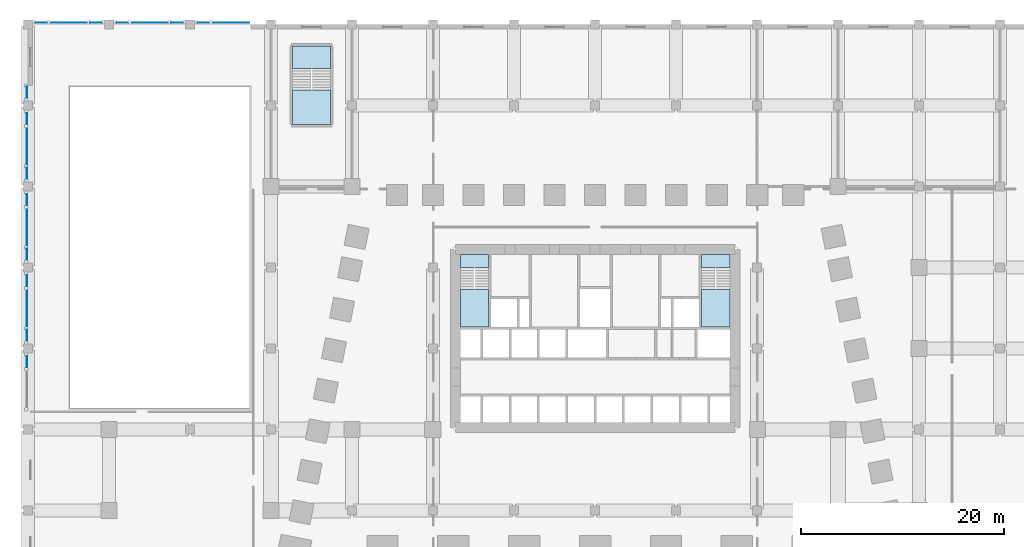
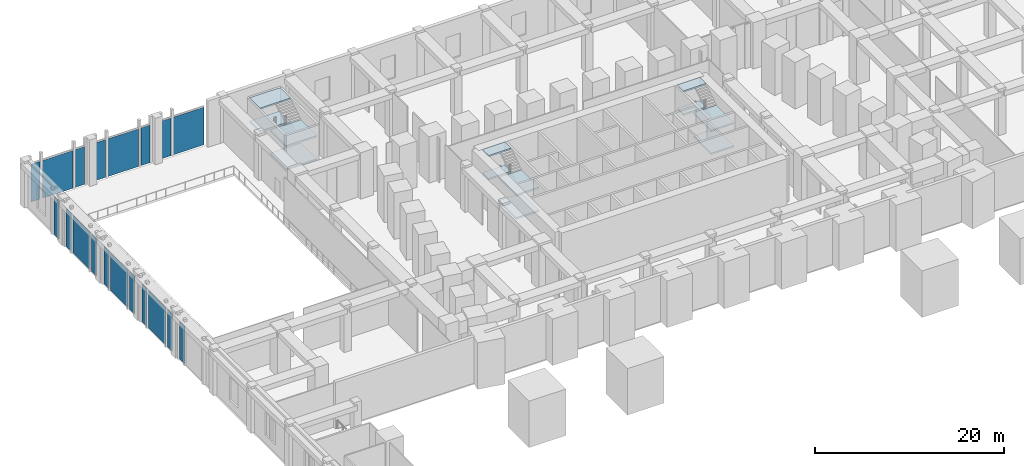
# One storey, part 4 of 25: 19 plates, 12 slabs, 11 elements without a shape of their own.
"""IFC4 building model written with IfcOpenShell, lengths in metres."""

import ifcopenshell
import ifcopenshell.guid

model = None  # the IFC model being written
_history = None  # IfcOwnerHistory: only IFC2X3 demands one
_inside = {}  # id of a spatial element -> (the spatial element, [elements in it])
_under = {}  # id of a project, library or spatial element -> (it, [spatial elements below it])
_declared = {}  # id of a project -> (the project, [libraries it declares])
_typed = {}  # id of a type object -> (the type object, [elements of that type])
_made_of = {}  # id of a material, layer set ... -> (it, [elements and type objects made of it])


def new_model(schema):
    """Start an empty IFC model of exactly this schema.

    Asked for "IFC4X3", IfcOpenShell would pick the latest addendum, in which some entities
    have other attributes; the version numbers below select the first issue.
    IFC2X3 requires an IfcOwnerHistory on every rooted entity: one is made here for all.
    """
    global model, _history
    if schema == "IFC4X3":
        model = ifcopenshell.file(schema_version=(4, 3, 0, 0))
    else:
        model = ifcopenshell.file(schema=schema)
    _inside.clear()
    _under.clear()
    _declared.clear()
    _typed.clear()
    _made_of.clear()
    _history = None
    if model.schema == "IFC2X3":
        org = make("IfcOrganization", Name="unknown")
        user = make(
            "IfcPersonAndOrganization",
            ThePerson=make("IfcPerson", FamilyName="unknown"),
            TheOrganization=org,
        )
        app = make(
            "IfcApplication",
            ApplicationDeveloper=org,
            Version="unknown",
            ApplicationFullName="unknown",
            ApplicationIdentifier="unknown",
        )
        _history = make(
            "IfcOwnerHistory",
            OwningUser=user,
            OwningApplication=app,
            ChangeAction="ADDED",
            CreationDate=0,
        )
    return model


def make(cls, **values):
    """One entity of the class cls with the attributes given. An attribute that is None is left unset."""
    return model.create_entity(
        cls, **{name: value for name, value in values.items() if value is not None}
    )


def rooted(cls, **values):
    """An entity with a GlobalId (a new one), such as an element, a storey or a relation."""
    return make(cls, GlobalId=ifcopenshell.guid.new(), OwnerHistory=_history, **values)


def si_unit(unit_type, name, prefix=None):
    """IfcSIUnit, for example si_unit("LENGTHUNIT", "METRE", prefix="MILLI")."""
    return make("IfcSIUnit", UnitType=unit_type, Prefix=prefix, Name=name)


def assignment(units):
    """IfcUnitAssignment: the units of a project."""
    return None if units is None else make("IfcUnitAssignment", Units=units)


def point(xyz):
    """IfcCartesianPoint."""
    return None if xyz is None else make("IfcCartesianPoint", Coordinates=xyz)


def direction(xyz):
    """IfcDirection."""
    return None if xyz is None else make("IfcDirection", DirectionRatios=xyz)


def frame(location, z_axis=None, x_axis=None):
    """IfcAxis2Placement3D, a coordinate frame: its origin and axes. An axis left out is left unset."""
    return make(
        "IfcAxis2Placement3D",
        Location=point(location),
        Axis=direction(z_axis),
        RefDirection=direction(x_axis),
    )


def frame_2d(location, x_axis=None):
    """IfcAxis2Placement2D, a coordinate frame in the plane: its origin and x axis."""
    return make(
        "IfcAxis2Placement2D", Location=point(location), RefDirection=direction(x_axis)
    )


def origin():
    """The frame at (0, 0, 0) with its axes left unset."""
    return frame((0.0, 0.0, 0.0))


def origin_2d():
    """The frame at (0, 0) in the plane with its x axis left unset."""
    return frame_2d((0.0, 0.0))


def place(relative_to, where):
    """IfcLocalPlacement: puts the frame where relative to a parent placement (None: the world)."""
    return make(
        "IfcLocalPlacement", PlacementRelTo=relative_to, RelativePlacement=where
    )


def context(
    kind, dimensions, precision=None, world=None, true_north=None, identifier=None
):
    """IfcGeometricRepresentationContext, for example the 3D "Model" context."""
    return make(
        "IfcGeometricRepresentationContext",
        ContextIdentifier=identifier,
        ContextType=kind,
        CoordinateSpaceDimension=dimensions,
        Precision=precision,
        WorldCoordinateSystem=world,
        TrueNorth=true_north,
    )


def subcontext(parent, identifier, kind, view, scale=None):
    """IfcGeometricRepresentationSubContext, for example "Body" below "Model"."""
    return make(
        "IfcGeometricRepresentationSubContext",
        ContextIdentifier=identifier,
        ContextType=kind,
        ParentContext=parent,
        TargetScale=scale,
        TargetView=view,
    )


def project(units=None, contexts=None):
    """IfcProject with its units and contexts."""
    return rooted(
        "IfcProject",
        Name="project",
        RepresentationContexts=contexts,
        UnitsInContext=assignment(units),
    )


def spatial(cls, under=None, at=None, **own):
    """A site, building, storey or space (cls), placed at a placement, below another one or the project."""
    s = rooted(cls, ObjectPlacement=at, **own)
    if under is not None:
        _under.setdefault(under.id(), (under, []))[1].append(s)
    return s


def polyline(points):
    """IfcPolyline through the points."""
    return make("IfcPolyline", Points=[point(p) for p in points])


def profile(cls, at=None, kind="AREA", **sizes):
    """A parametric profile (cls). Its sizes go by their IFC names, for example OverallWidth=200.0."""
    return make(cls, ProfileType=kind, Position=at, **sizes)


def rectangle(**sizes):
    """IfcRectangleProfileDef."""
    return profile("IfcRectangleProfileDef", **sizes)


def outline(outer, holes=None, kind="AREA"):
    """IfcArbitraryClosedProfileDef: a profile drawn as a closed curve; with holes, ...WithVoids."""
    if holes is None:
        return make("IfcArbitraryClosedProfileDef", ProfileType=kind, OuterCurve=outer)
    return make(
        "IfcArbitraryProfileDefWithVoids",
        ProfileType=kind,
        OuterCurve=outer,
        InnerCurves=holes,
    )


def extrude(swept, where, along, depth):
    """IfcExtrudedAreaSolid: the profile swept, set in the frame where, extruded along a direction by depth."""
    return make(
        "IfcExtrudedAreaSolid",
        SweptArea=swept,
        Position=where,
        ExtrudedDirection=direction(along),
        Depth=depth,
    )


def shape(context_of_items, identifier, shape_type, items):
    """IfcShapeRepresentation: the items that make up one representation, for example the "Body"."""
    return make(
        "IfcShapeRepresentation",
        ContextOfItems=context_of_items,
        RepresentationIdentifier=identifier,
        RepresentationType=shape_type,
        Items=items,
    )


def material(Name=None, Category=None):
    """IfcMaterial."""
    return make("IfcMaterial", Name=Name, Category=Category)


def layer(
    of_material, thickness, ventilated=None, Name=None, Category=None, Priority=None
):
    """IfcMaterialLayer: one layer of a wall or slab, of a material (None: an air gap)."""
    return make(
        "IfcMaterialLayer",
        Material=of_material,
        LayerThickness=thickness,
        IsVentilated=ventilated,
        Name=Name,
        Category=Category,
        Priority=Priority,
    )


def layer_set(layers, Name=None):
    """IfcMaterialLayerSet."""
    return make("IfcMaterialLayerSet", MaterialLayers=layers, LayerSetName=Name)


def made_of(thing, what):
    """Note that an element or type object is made of a material, layer set ...; save() writes the relation."""
    if what is not None:
        _made_of.setdefault(what.id(), (what, []))[1].append(thing)
    return thing


def type_object(cls, material=None, **own):
    """A type object (cls), such as IfcWallType, which elements share."""
    return made_of(rooted(cls, **own), material)


def element(
    cls,
    number,
    at=None,
    inside=None,
    cuts=None,
    type_object=None,
    material=None,
    context=None,
    identifier="Body",
    shape_type=None,
    held_by="IfcProductDefinitionShape",
    body=None,
    shapes=None,
    **own,
):
    """One element of the class cls, such as IfcWall. Its Tag is "e" and its number.

    at: its placement. inside: the storey or other place that contains it. cuts: it is an
    opening in that element (IfcRelVoidsElement). A single representation is given by context,
    identifier, shape_type and body (its items); several are given by shapes. held_by: the class
    of the entity that holds the representations. save() writes the other relations.
    """
    e = rooted(cls, Tag="e%d" % number, ObjectPlacement=at, **own)
    if body is not None:
        shapes = [shape(context, identifier, shape_type, body)]
    if shapes is not None:
        e.Representation = make(held_by, Representations=shapes)
    if inside is not None:
        _inside.setdefault(inside.id(), (inside, []))[1].append(e)
    if cuts is not None:
        rooted(
            "IfcRelVoidsElement", RelatingBuildingElement=cuts, RelatedOpeningElement=e
        )
    if type_object is not None:
        _typed.setdefault(type_object.id(), (type_object, []))[1].append(e)
    return made_of(e, material)


def aggregate(whole, parts):
    """IfcRelAggregates: a whole, such as a stair, and the parts it consists of."""
    return rooted("IfcRelAggregates", RelatingObject=whole, RelatedObjects=parts)


def save(model, path):
    """Write the relations noted so far, then the file.

    IfcRelAggregates (storeys below a building ...), IfcRelContainedInSpatialStructure (elements
    in a storey), IfcRelDefinesByType, IfcRelAssociatesMaterial and IfcRelDeclares: one each for
    every whole, place, type object, material and project.
    """
    for whole, parts in _under.values():
        aggregate(whole, parts)
    for where, things in _inside.values():
        rooted(
            "IfcRelContainedInSpatialStructure",
            RelatedElements=things,
            RelatingStructure=where,
        )
    for kind, things in _typed.values():
        rooted("IfcRelDefinesByType", RelatedObjects=things, RelatingType=kind)
    for what, things in _made_of.values():
        rooted("IfcRelAssociatesMaterial", RelatedObjects=things, RelatingMaterial=what)
    for by, libraries in _declared.values():
        rooted("IfcRelDeclares", RelatingContext=by, RelatedDefinitions=libraries)
    model.write(path)


model = new_model("IFC4")

# Units and contexts
model_context = context("Model", 3, precision=1e-05, world=origin(), true_north=direction((0.0, 1.0)))
body_context = subcontext(model_context, "Body", "Model", "MODEL_VIEW")
ifc_project = project(units=[si_unit("LENGTHUNIT", "METRE"), si_unit("AREAUNIT", "SQUARE_METRE"), si_unit("VOLUMEUNIT", "CUBIC_METRE"), si_unit("PLANEANGLEUNIT", "RADIAN"), si_unit("MASSUNIT", "GRAM", prefix="KILO")], contexts=[model_context])

# Site, building, storey
site_placement = place(None, origin())
site = spatial("IfcSite", under=ifc_project, at=site_placement, CompositionType="ELEMENT")
building_placement = place(site_placement, origin())
building = spatial("IfcBuilding", under=site, at=building_placement, Name="Isbrekke Arena Tower", CompositionType="ELEMENT")
storey_placement = place(building_placement, frame((0.0, 0.0, 6.0)))
storey = spatial("IfcBuildingStorey", under=building, at=storey_placement, Name="L01", CompositionType="ELEMENT", Elevation=6.0)

# Curtain wall, plate
ifc_material_1 = material(Name="Glazed aluminium curtain wall", Category="aluminium")
curtain_wall_type = type_object("IfcCurtainWallType", Name="CWP ATRIUM CURTAIN WALL", PredefinedType="USERDEFINED", material=ifc_material_1)
curtain_wall_1_placement = place(storey_placement, origin())
curtain_wall_1 = element("IfcCurtainWall", 1, at=curtain_wall_1_placement, inside=storey, type_object=curtain_wall_type, Name="CWP curtain wall L01-PW", ObjectType="ATRIUM CURTAIN WALL", PredefinedType="USERDEFINED")
ifc_material_2 = material(Name="Triple-glazed clear glass unit", Category="glass")
ifc_layer_1 = layer(ifc_material_2, 0.031982421875)
ifc_layer_set_1 = layer_set([ifc_layer_1], Name="CWP-P VISION PANEL")
plate_type = type_object("IfcPlateType", Name="CWP-P VISION PANEL", PredefinedType="CURTAIN_PANEL", material=ifc_layer_set_1)
plate_1_placement = place(storey_placement, frame((-56.10009765625, 39.300048828125, 0.02001953125), z_axis=(0.0, 0.0, 1.0), x_axis=(0.0, -1.0, 0.0)))
plate_1 = element("IfcPlate", 2, at=plate_1_placement, type_object=plate_type, Name="CWP-P panel 1", PredefinedType="CURTAIN_PANEL", context=body_context, shape_type="SweptSolid", body=[
    extrude(rectangle(XDim=1.10009765625, YDim=0.031982421875, at=origin_2d()), origin(), (0.0, 0.0, 1.0), 4.8798828125),
])
aggregate(curtain_wall_1, [plate_1])

# Curtain wall, plates
curtain_wall_2_placement = place(storey_placement, origin())
curtain_wall_2 = element("IfcCurtainWall", 3, at=curtain_wall_2_placement, inside=storey, type_object=curtain_wall_type, Name="CWP curtain wall L01-PW2", ObjectType="ATRIUM CURTAIN WALL", PredefinedType="USERDEFINED")
plate_2_placement = place(storey_placement, frame((-56.10009765625, 36.699951171875, 0.02001953125), z_axis=(0.0, 0.0, 1.0), x_axis=(0.0, -1.0, 0.0)))
plate_2 = element("IfcPlate", 4, at=plate_2_placement, type_object=plate_type, Name="CWP-P panel 1", PredefinedType="CURTAIN_PANEL", context=body_context, shape_type="SweptSolid", body=[
    extrude(rectangle(XDim=1.10009765625, YDim=0.031982421875, at=origin_2d()), origin(), (0.0, 0.0, 1.0), 4.8798828125),
])
plate_3_placement = place(storey_placement, frame((-56.10009765625, 34.0, 0.02001953125), z_axis=(0.0, 0.0, 1.0), x_axis=(0.0, -1.0, 0.0)))
plate_3 = element("IfcPlate", 5, at=plate_3_placement, type_object=plate_type, Name="CWP-P panel 2", PredefinedType="CURTAIN_PANEL", context=body_context, shape_type="SweptSolid", body=[
    extrude(rectangle(XDim=3.699951171875, YDim=0.031982421875, at=origin_2d()), origin(), (0.0, 0.0, 1.0), 4.8798828125),
])
plate_4_placement = place(storey_placement, frame((-56.10009765625, 31.300048828125, 0.02001953125), z_axis=(0.0, 0.0, 1.0), x_axis=(0.0, -1.0, 0.0)))
plate_4 = element("IfcPlate", 6, at=plate_4_placement, type_object=plate_type, Name="CWP-P panel 3", PredefinedType="CURTAIN_PANEL", context=body_context, shape_type="SweptSolid", body=[
    extrude(rectangle(XDim=1.10009765625, YDim=0.031982421875, at=origin_2d()), origin(), (0.0, 0.0, 1.0), 4.8798828125),
])
aggregate(curtain_wall_2, [plate_2, plate_3, plate_4])

curtain_wall_3_placement = place(storey_placement, origin())
curtain_wall_3 = element("IfcCurtainWall", 7, at=curtain_wall_3_placement, inside=storey, type_object=curtain_wall_type, Name="CWP curtain wall L01-PW3", ObjectType="ATRIUM CURTAIN WALL", PredefinedType="USERDEFINED")
plate_5_placement = place(storey_placement, frame((-56.10009765625, 28.699951171875, 0.02001953125), z_axis=(0.0, 0.0, 1.0), x_axis=(0.0, -1.0, 0.0)))
plate_5 = element("IfcPlate", 8, at=plate_5_placement, type_object=plate_type, Name="CWP-P panel 1", PredefinedType="CURTAIN_PANEL", context=body_context, shape_type="SweptSolid", body=[
    extrude(rectangle(XDim=1.10009765625, YDim=0.031982421875, at=origin_2d()), origin(), (0.0, 0.0, 1.0), 4.8798828125),
])
plate_6_placement = place(storey_placement, frame((-56.10009765625, 26.0, 0.02001953125), z_axis=(0.0, 0.0, 1.0), x_axis=(0.0, -1.0, 0.0)))
plate_6 = element("IfcPlate", 9, at=plate_6_placement, type_object=plate_type, Name="CWP-P panel 2", PredefinedType="CURTAIN_PANEL", context=body_context, shape_type="SweptSolid", body=[
    extrude(rectangle(XDim=3.699951171875, YDim=0.031982421875, at=origin_2d()), origin(), (0.0, 0.0, 1.0), 4.8798828125),
])
plate_7_placement = place(storey_placement, frame((-56.10009765625, 23.300048828125, 0.02001953125), z_axis=(0.0, 0.0, 1.0), x_axis=(0.0, -1.0, 0.0)))
plate_7 = element("IfcPlate", 10, at=plate_7_placement, type_object=plate_type, Name="CWP-P panel 3", PredefinedType="CURTAIN_PANEL", context=body_context, shape_type="SweptSolid", body=[
    extrude(rectangle(XDim=1.10009765625, YDim=0.031982421875, at=origin_2d()), origin(), (0.0, 0.0, 1.0), 4.8798828125),
])
aggregate(curtain_wall_3, [plate_5, plate_6, plate_7])

curtain_wall_4_placement = place(storey_placement, origin())
curtain_wall_4 = element("IfcCurtainWall", 11, at=curtain_wall_4_placement, inside=storey, type_object=curtain_wall_type, Name="CWP curtain wall L01-PW4", ObjectType="ATRIUM CURTAIN WALL", PredefinedType="USERDEFINED")
plate_8_placement = place(storey_placement, frame((-56.10009765625, 20.699951171875, 0.02001953125), z_axis=(0.0, 0.0, 1.0), x_axis=(0.0, -1.0, 0.0)))
plate_8 = element("IfcPlate", 12, at=plate_8_placement, type_object=plate_type, Name="CWP-P panel 1", PredefinedType="CURTAIN_PANEL", context=body_context, shape_type="SweptSolid", body=[
    extrude(rectangle(XDim=1.10009765625, YDim=0.031982421875, at=origin_2d()), origin(), (0.0, 0.0, 1.0), 4.8798828125),
])
plate_9_placement = place(storey_placement, frame((-56.10009765625, 18.0, 0.02001953125), z_axis=(0.0, 0.0, 1.0), x_axis=(0.0, -1.0, 0.0)))
plate_9 = element("IfcPlate", 13, at=plate_9_placement, type_object=plate_type, Name="CWP-P panel 2", PredefinedType="CURTAIN_PANEL", context=body_context, shape_type="SweptSolid", body=[
    extrude(rectangle(XDim=3.699951171875, YDim=0.031982421875, at=origin_2d()), origin(), (0.0, 0.0, 1.0), 4.8798828125),
])
plate_10_placement = place(storey_placement, frame((-56.10009765625, 15.300048828125, 0.02001953125), z_axis=(0.0, 0.0, 1.0), x_axis=(0.0, -1.0, 0.0)))
plate_10 = element("IfcPlate", 14, at=plate_10_placement, type_object=plate_type, Name="CWP-P panel 3", PredefinedType="CURTAIN_PANEL", context=body_context, shape_type="SweptSolid", body=[
    extrude(rectangle(XDim=1.10009765625, YDim=0.031982421875, at=origin_2d()), origin(), (0.0, 0.0, 1.0), 4.8798828125),
])
aggregate(curtain_wall_4, [plate_8, plate_9, plate_10])

# Curtain wall, plate
curtain_wall_5_placement = place(storey_placement, origin())
curtain_wall_5 = element("IfcCurtainWall", 15, at=curtain_wall_5_placement, inside=storey, type_object=curtain_wall_type, Name="CWP curtain wall L01-PW5", ObjectType="ATRIUM CURTAIN WALL", PredefinedType="USERDEFINED")
plate_11_placement = place(storey_placement, frame((-56.10009765625, 12.699951171875, 0.02001953125), z_axis=(0.0, 0.0, 1.0), x_axis=(0.0, -1.0, 0.0)))
plate_11 = element("IfcPlate", 16, at=plate_11_placement, type_object=plate_type, Name="CWP-P panel 1", PredefinedType="CURTAIN_PANEL", context=body_context, shape_type="SweptSolid", body=[
    extrude(rectangle(XDim=1.10009765625, YDim=0.031982421875, at=origin_2d()), origin(), (0.0, 0.0, 1.0), 4.8798828125),
])
aggregate(curtain_wall_5, [plate_11])

# Curtain wall, plates
curtain_wall_6_placement = place(storey_placement, origin())
curtain_wall_6 = element("IfcCurtainWall", 17, at=curtain_wall_6_placement, inside=storey, type_object=curtain_wall_type, Name="CWP curtain wall L01-PN", ObjectType="ATRIUM CURTAIN WALL", PredefinedType="USERDEFINED")
plate_12_placement = place(storey_placement, frame((-36.0, 46.175048828125, 0.02001953125), z_axis=(0.0, 0.0, 1.0), x_axis=(-1.0, 0.0, 0.0)))
plate_12 = element("IfcPlate", 18, at=plate_12_placement, type_object=plate_type, Name="CWP-P panel 1", PredefinedType="CURTAIN_PANEL", context=body_context, shape_type="SweptSolid", body=[
    extrude(rectangle(XDim=3.699951171875, YDim=0.031982421875, at=origin_2d()), origin(), (0.0, 0.0, 1.0), 4.8798828125),
])
plate_13_placement = place(storey_placement, frame((-38.699951171875, 46.175048828125, 0.02001953125), z_axis=(0.0, 0.0, 1.0), x_axis=(-1.0, 0.0, 0.0)))
plate_13 = element("IfcPlate", 19, at=plate_13_placement, type_object=plate_type, Name="CWP-P panel 2", PredefinedType="CURTAIN_PANEL", context=body_context, shape_type="SweptSolid", body=[
    extrude(rectangle(XDim=1.10009765625, YDim=0.031982421875, at=origin_2d()), origin(), (0.0, 0.0, 1.0), 4.8798828125),
])
aggregate(curtain_wall_6, [plate_12, plate_13])

curtain_wall_7_placement = place(storey_placement, origin())
curtain_wall_7 = element("IfcCurtainWall", 20, at=curtain_wall_7_placement, inside=storey, type_object=curtain_wall_type, Name="CWP curtain wall L01-PN2", ObjectType="ATRIUM CURTAIN WALL", PredefinedType="USERDEFINED")
plate_14_placement = place(storey_placement, frame((-41.300048828125, 46.175048828125, 0.02001953125), z_axis=(0.0, 0.0, 1.0), x_axis=(-1.0, 0.0, 0.0)))
plate_14 = element("IfcPlate", 21, at=plate_14_placement, type_object=plate_type, Name="CWP-P panel 1", PredefinedType="CURTAIN_PANEL", context=body_context, shape_type="SweptSolid", body=[
    extrude(rectangle(XDim=1.10009765625, YDim=0.031982421875, at=origin_2d()), origin(), (0.0, 0.0, 1.0), 4.8798828125),
])
plate_15_placement = place(storey_placement, frame((-44.0, 46.175048828125, 0.02001953125), z_axis=(0.0, 0.0, 1.0), x_axis=(-1.0, 0.0, 0.0)))
plate_15 = element("IfcPlate", 22, at=plate_15_placement, type_object=plate_type, Name="CWP-P panel 2", PredefinedType="CURTAIN_PANEL", context=body_context, shape_type="SweptSolid", body=[
    extrude(rectangle(XDim=3.699951171875, YDim=0.031982421875, at=origin_2d()), origin(), (0.0, 0.0, 1.0), 4.8798828125),
])
plate_16_placement = place(storey_placement, frame((-46.699951171875, 46.175048828125, 0.02001953125), z_axis=(0.0, 0.0, 1.0), x_axis=(-1.0, 0.0, 0.0)))
plate_16 = element("IfcPlate", 23, at=plate_16_placement, type_object=plate_type, Name="CWP-P panel 3", PredefinedType="CURTAIN_PANEL", context=body_context, shape_type="SweptSolid", body=[
    extrude(rectangle(XDim=1.10009765625, YDim=0.031982421875, at=origin_2d()), origin(), (0.0, 0.0, 1.0), 4.8798828125),
])
aggregate(curtain_wall_7, [plate_14, plate_15, plate_16])

curtain_wall_8_placement = place(storey_placement, origin())
curtain_wall_8 = element("IfcCurtainWall", 24, at=curtain_wall_8_placement, inside=storey, type_object=curtain_wall_type, Name="CWP curtain wall L01-PN3", ObjectType="ATRIUM CURTAIN WALL", PredefinedType="USERDEFINED")
plate_17_placement = place(storey_placement, frame((-49.300048828125, 46.175048828125, 0.02001953125), z_axis=(0.0, 0.0, 1.0), x_axis=(-1.0, 0.0, 0.0)))
plate_17 = element("IfcPlate", 25, at=plate_17_placement, type_object=plate_type, Name="CWP-P panel 1", PredefinedType="CURTAIN_PANEL", context=body_context, shape_type="SweptSolid", body=[
    extrude(rectangle(XDim=1.10009765625, YDim=0.031982421875, at=origin_2d()), origin(), (0.0, 0.0, 1.0), 4.8798828125),
])
plate_18_placement = place(storey_placement, frame((-52.0, 46.175048828125, 0.02001953125), z_axis=(0.0, 0.0, 1.0), x_axis=(-1.0, 0.0, 0.0)))
plate_18 = element("IfcPlate", 26, at=plate_18_placement, type_object=plate_type, Name="CWP-P panel 2", PredefinedType="CURTAIN_PANEL", context=body_context, shape_type="SweptSolid", body=[
    extrude(rectangle(XDim=3.699951171875, YDim=0.031982421875, at=origin_2d()), origin(), (0.0, 0.0, 1.0), 4.8798828125),
])
plate_19_placement = place(storey_placement, frame((-54.700927734375, 46.175048828125, 0.02001953125), z_axis=(0.0, 0.0, 1.0), x_axis=(-1.0, 0.0, 0.0)))
plate_19 = element("IfcPlate", 27, at=plate_19_placement, type_object=plate_type, Name="CWP-P panel 3", PredefinedType="CURTAIN_PANEL", context=body_context, shape_type="SweptSolid", body=[
    extrude(rectangle(XDim=1.10205078125, YDim=0.031982421875, at=origin_2d()), origin(), (0.0, 0.0, 1.0), 4.8798828125),
])
aggregate(curtain_wall_8, [plate_17, plate_18, plate_19])

# Stair, slabs
ifc_material_3 = material(Name="Concrete B45 (C45/55) precast", Category="concrete")
stair_type_1 = type_object("IfcStairType", Name="ST60 STAIR 1300 WIDE, 36 RISERS 167", PredefinedType="HALF_TURN_STAIR", material=ifc_material_3)
stair_1_placement = place(storey_placement, origin())
stair_1 = element("IfcStair", 28, at=stair_1_placement, inside=storey, type_object=stair_type_1, Name="ST1 stair L01", PredefinedType="HALF_TURN_STAIR")
ifc_material_4 = material(Name="Concrete B35 (C35/45)", Category="concrete")
ifc_layer_2 = layer(ifc_material_4, 0.199951171875)
ifc_layer_set_2 = layer_set([ifc_layer_2], Name="SL1 STAIR LANDING 200")
slab_type = type_object("IfcSlabType", Name="SL1 STAIR LANDING 200", PredefinedType="LANDING", material=ifc_layer_set_2)
slab_1_placement = place(storey_placement, frame((0.0, 0.0, 1.300048828125)))
slab_1 = element("IfcSlab", 29, at=slab_1_placement, type_object=slab_type, Name="ST1 landing 1", PredefinedType="LANDING", context=body_context, shape_type="SweptSolid", body=[
    extrude(outline(polyline([(-13.300048828125, 16.125), (-10.52490234375, 16.125), (-10.52490234375, 19.840087890625), (-13.300048828125, 19.840087890625), (-13.300048828125, 16.125)])), origin(), (0.0, 0.0, 1.0), 0.199951171875),
])
slab_2_placement = place(storey_placement, frame((0.0, 0.0, 2.800048828125)))
slab_2 = element("IfcSlab", 30, at=slab_2_placement, type_object=slab_type, Name="ST1 landing 2", PredefinedType="LANDING", context=body_context, shape_type="SweptSolid", body=[
    extrude(outline(polyline([(-13.300048828125, 22.0), (-10.52490234375, 22.0), (-10.52490234375, 23.300048828125), (-13.300048828125, 23.300048828125), (-13.300048828125, 22.0)])), origin(), (0.0, 0.0, 1.0), 0.199951171875),
])
slab_3_placement = place(storey_placement, frame((0.0, 0.0, 4.300048828125)))
slab_3 = element("IfcSlab", 31, at=slab_3_placement, type_object=slab_type, Name="ST1 landing 3", PredefinedType="LANDING", context=body_context, shape_type="SweptSolid", body=[
    extrude(outline(polyline([(-13.300048828125, 16.125), (-10.52490234375, 16.125), (-10.52490234375, 19.840087890625), (-13.300048828125, 19.840087890625), (-13.300048828125, 16.125)])), origin(), (0.0, 0.0, 1.0), 0.199951171875),
])
slab_4_placement = place(storey_placement, frame((0.0, 0.0, 5.800048828125)))
slab_4 = element("IfcSlab", 32, at=slab_4_placement, type_object=slab_type, Name="ST1 landing 4", PredefinedType="LANDING", context=body_context, shape_type="SweptSolid", body=[
    extrude(outline(polyline([(-13.300048828125, 22.0), (-10.52490234375, 22.0), (-10.52490234375, 23.300048828125), (-13.300048828125, 23.300048828125), (-13.300048828125, 22.0)])), origin(), (0.0, 0.0, 1.0), 0.199951171875),
])
aggregate(stair_1, [slab_1, slab_2, slab_3, slab_4])

stair_2_placement = place(storey_placement, origin())
stair_2 = element("IfcStair", 33, at=stair_2_placement, inside=storey, type_object=stair_type_1, Name="ST2 stair L01", PredefinedType="HALF_TURN_STAIR")
slab_5_placement = place(storey_placement, frame((0.0, 0.0, 1.300048828125)))
slab_5 = element("IfcSlab", 34, at=slab_5_placement, type_object=slab_type, Name="ST2 landing 1", PredefinedType="LANDING", context=body_context, shape_type="SweptSolid", body=[
    extrude(outline(polyline([(10.52490234375, 16.125), (13.300048828125, 16.125), (13.300048828125, 19.840087890625), (10.52490234375, 19.840087890625), (10.52490234375, 16.125)])), origin(), (0.0, 0.0, 1.0), 0.199951171875),
])
slab_6_placement = place(storey_placement, frame((0.0, 0.0, 2.800048828125)))
slab_6 = element("IfcSlab", 35, at=slab_6_placement, type_object=slab_type, Name="ST2 landing 2", PredefinedType="LANDING", context=body_context, shape_type="SweptSolid", body=[
    extrude(outline(polyline([(10.52490234375, 22.0), (13.300048828125, 22.0), (13.300048828125, 23.300048828125), (10.52490234375, 23.300048828125), (10.52490234375, 22.0)])), origin(), (0.0, 0.0, 1.0), 0.199951171875),
])
slab_7_placement = place(storey_placement, frame((0.0, 0.0, 4.300048828125)))
slab_7 = element("IfcSlab", 36, at=slab_7_placement, type_object=slab_type, Name="ST2 landing 3", PredefinedType="LANDING", context=body_context, shape_type="SweptSolid", body=[
    extrude(outline(polyline([(10.52490234375, 16.125), (13.300048828125, 16.125), (13.300048828125, 19.840087890625), (10.52490234375, 19.840087890625), (10.52490234375, 16.125)])), origin(), (0.0, 0.0, 1.0), 0.199951171875),
])
slab_8_placement = place(storey_placement, frame((0.0, 0.0, 5.800048828125)))
slab_8 = element("IfcSlab", 37, at=slab_8_placement, type_object=slab_type, Name="ST2 landing 4", PredefinedType="LANDING", context=body_context, shape_type="SweptSolid", body=[
    extrude(outline(polyline([(10.52490234375, 22.0), (13.300048828125, 22.0), (13.300048828125, 23.300048828125), (10.52490234375, 23.300048828125), (10.52490234375, 22.0)])), origin(), (0.0, 0.0, 1.0), 0.199951171875),
])
aggregate(stair_2, [slab_5, slab_6, slab_7, slab_8])

ifc_material_5 = material(Name="Concrete B45 (C45/55) precast", Category="concrete")
stair_type_2 = type_object("IfcStairType", Name="ST60 STAIR 1800 WIDE, 36 RISERS 167", PredefinedType="HALF_TURN_STAIR", material=ifc_material_5)
stair_3_placement = place(storey_placement, origin())
stair_3 = element("IfcStair", 38, at=stair_3_placement, inside=storey, type_object=stair_type_2, Name="P2 stair L01", PredefinedType="HALF_TURN_STAIR")
slab_9_placement = place(storey_placement, frame((0.0, 0.0, 1.300048828125)))
slab_9 = element("IfcSlab", 39, at=slab_9_placement, type_object=slab_type, Name="P2 landing 1", PredefinedType="LANDING", context=body_context, shape_type="SweptSolid", body=[
    extrude(outline(polyline([(-29.875, 36.125), (-26.125, 36.125), (-26.125, 39.514892578125), (-29.875, 39.514892578125), (-29.875, 36.125)])), origin(), (0.0, 0.0, 1.0), 0.199951171875),
])
slab_10_placement = place(storey_placement, frame((0.0, 0.0, 2.800048828125)))
slab_10 = element("IfcSlab", 40, at=slab_10_placement, type_object=slab_type, Name="P2 landing 2", PredefinedType="LANDING", context=body_context, shape_type="SweptSolid", body=[
    extrude(outline(polyline([(-29.875, 41.675048828125), (-26.125, 41.675048828125), (-26.125, 43.875), (-29.875, 43.875), (-29.875, 41.675048828125)])), origin(), (0.0, 0.0, 1.0), 0.199951171875),
])
slab_11_placement = place(storey_placement, frame((0.0, 0.0, 4.300048828125)))
slab_11 = element("IfcSlab", 41, at=slab_11_placement, type_object=slab_type, Name="P2 landing 3", PredefinedType="LANDING", context=body_context, shape_type="SweptSolid", body=[
    extrude(outline(polyline([(-29.875, 36.125), (-26.125, 36.125), (-26.125, 39.514892578125), (-29.875, 39.514892578125), (-29.875, 36.125)])), origin(), (0.0, 0.0, 1.0), 0.199951171875),
])
slab_12_placement = place(storey_placement, frame((0.0, 0.0, 5.800048828125)))
slab_12 = element("IfcSlab", 42, at=slab_12_placement, type_object=slab_type, Name="P2 landing 4", PredefinedType="LANDING", context=body_context, shape_type="SweptSolid", body=[
    extrude(outline(polyline([(-29.875, 41.675048828125), (-26.125, 41.675048828125), (-26.125, 43.875), (-29.875, 43.875), (-29.875, 41.675048828125)])), origin(), (0.0, 0.0, 1.0), 0.199951171875),
])
aggregate(stair_3, [slab_9, slab_10, slab_11, slab_12])

save(model, "model.ifc")
